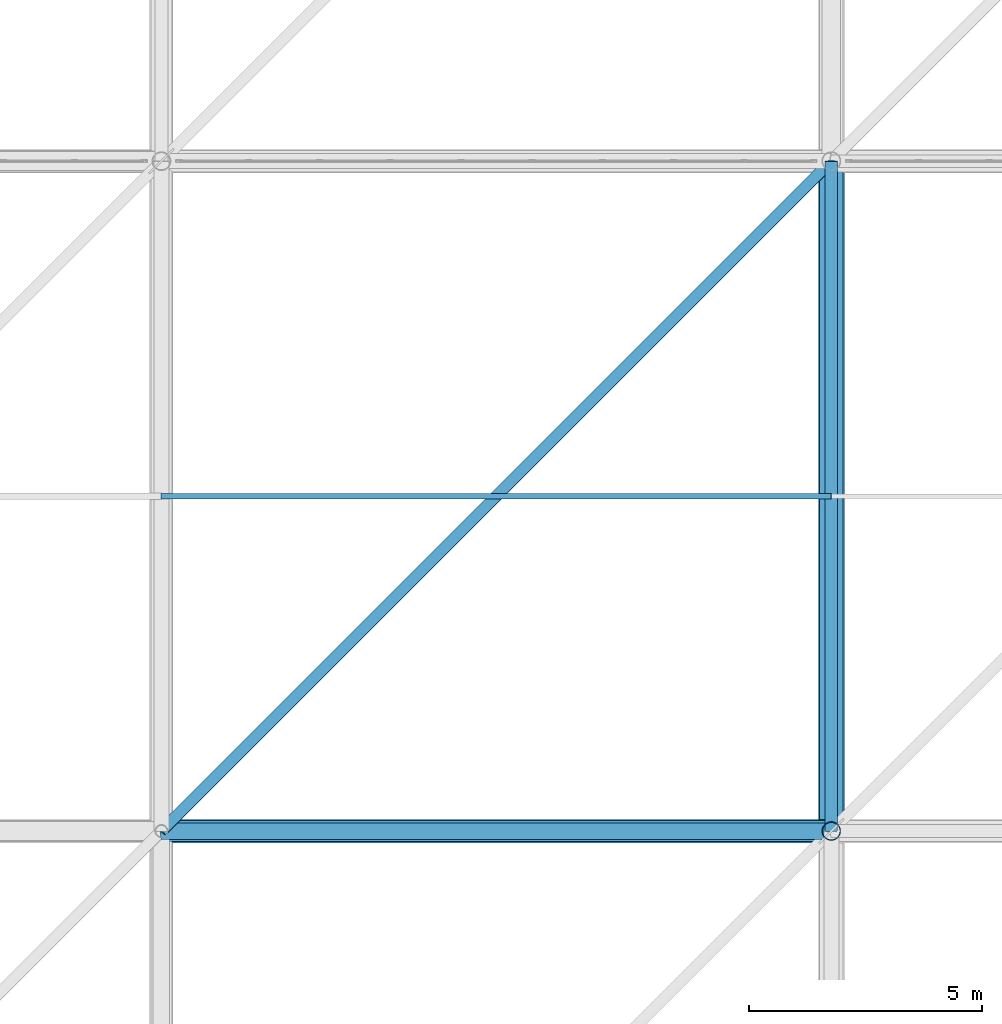
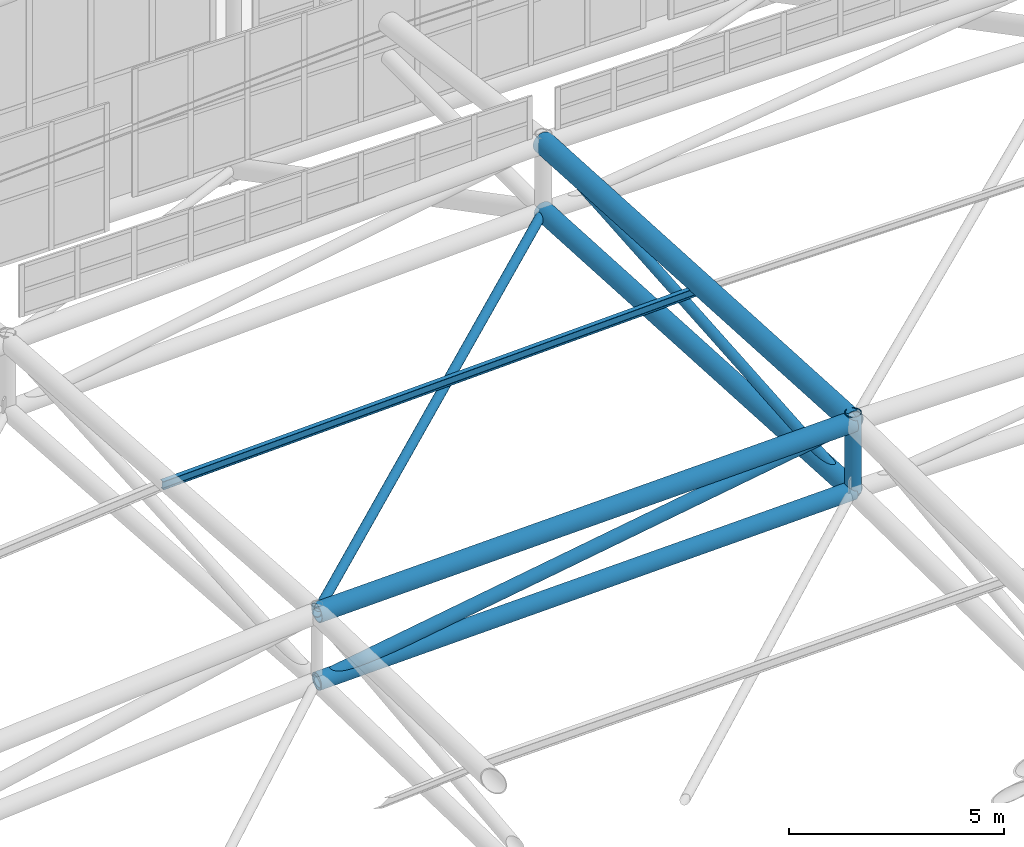
# One storey, part 207 of 397: 5 members, 4 beams.
"""IFC4 building model written with IfcOpenShell, lengths in metres."""

import ifcopenshell
import ifcopenshell.guid

model = None  # the IFC model being written
_history = None  # IfcOwnerHistory: only IFC2X3 demands one
_inside = {}  # id of a spatial element -> (the spatial element, [elements in it])
_under = {}  # id of a project, library or spatial element -> (it, [spatial elements below it])
_declared = {}  # id of a project -> (the project, [libraries it declares])
_typed = {}  # id of a type object -> (the type object, [elements of that type])
_made_of = {}  # id of a material, layer set ... -> (it, [elements and type objects made of it])


def new_model(schema):
    """Start an empty IFC model of exactly this schema.

    Asked for "IFC4X3", IfcOpenShell would pick the latest addendum, in which some entities
    have other attributes; the version numbers below select the first issue.
    IFC2X3 requires an IfcOwnerHistory on every rooted entity: one is made here for all.
    """
    global model, _history
    if schema == "IFC4X3":
        model = ifcopenshell.file(schema_version=(4, 3, 0, 0))
    else:
        model = ifcopenshell.file(schema=schema)
    _inside.clear()
    _under.clear()
    _declared.clear()
    _typed.clear()
    _made_of.clear()
    _history = None
    if model.schema == "IFC2X3":
        org = make("IfcOrganization", Name="unknown")
        user = make(
            "IfcPersonAndOrganization",
            ThePerson=make("IfcPerson", FamilyName="unknown"),
            TheOrganization=org,
        )
        app = make(
            "IfcApplication",
            ApplicationDeveloper=org,
            Version="unknown",
            ApplicationFullName="unknown",
            ApplicationIdentifier="unknown",
        )
        _history = make(
            "IfcOwnerHistory",
            OwningUser=user,
            OwningApplication=app,
            ChangeAction="ADDED",
            CreationDate=0,
        )
    return model


def make(cls, **values):
    """One entity of the class cls with the attributes given. An attribute that is None is left unset."""
    return model.create_entity(
        cls, **{name: value for name, value in values.items() if value is not None}
    )


def rooted(cls, **values):
    """An entity with a GlobalId (a new one), such as an element, a storey or a relation."""
    return make(cls, GlobalId=ifcopenshell.guid.new(), OwnerHistory=_history, **values)


def si_unit(unit_type, name, prefix=None):
    """IfcSIUnit, for example si_unit("LENGTHUNIT", "METRE", prefix="MILLI")."""
    return make("IfcSIUnit", UnitType=unit_type, Prefix=prefix, Name=name)


def assignment(units):
    """IfcUnitAssignment: the units of a project."""
    return None if units is None else make("IfcUnitAssignment", Units=units)


def point(xyz):
    """IfcCartesianPoint."""
    return None if xyz is None else make("IfcCartesianPoint", Coordinates=xyz)


def direction(xyz):
    """IfcDirection."""
    return None if xyz is None else make("IfcDirection", DirectionRatios=xyz)


def frame(location, z_axis=None, x_axis=None):
    """IfcAxis2Placement3D, a coordinate frame: its origin and axes. An axis left out is left unset."""
    return make(
        "IfcAxis2Placement3D",
        Location=point(location),
        Axis=direction(z_axis),
        RefDirection=direction(x_axis),
    )


def frame_2d(location, x_axis=None):
    """IfcAxis2Placement2D, a coordinate frame in the plane: its origin and x axis."""
    return make(
        "IfcAxis2Placement2D", Location=point(location), RefDirection=direction(x_axis)
    )


def origin():
    """The frame at (0, 0, 0) with its axes left unset."""
    return frame((0.0, 0.0, 0.0))


def origin_2d():
    """The frame at (0, 0) in the plane with its x axis left unset."""
    return frame_2d((0.0, 0.0))


def place(relative_to, where):
    """IfcLocalPlacement: puts the frame where relative to a parent placement (None: the world)."""
    return make(
        "IfcLocalPlacement", PlacementRelTo=relative_to, RelativePlacement=where
    )


def context(
    kind, dimensions, precision=None, world=None, true_north=None, identifier=None
):
    """IfcGeometricRepresentationContext, for example the 3D "Model" context."""
    return make(
        "IfcGeometricRepresentationContext",
        ContextIdentifier=identifier,
        ContextType=kind,
        CoordinateSpaceDimension=dimensions,
        Precision=precision,
        WorldCoordinateSystem=world,
        TrueNorth=true_north,
    )


def subcontext(parent, identifier, kind, view, scale=None):
    """IfcGeometricRepresentationSubContext, for example "Body" below "Model"."""
    return make(
        "IfcGeometricRepresentationSubContext",
        ContextIdentifier=identifier,
        ContextType=kind,
        ParentContext=parent,
        TargetScale=scale,
        TargetView=view,
    )


def project(units=None, contexts=None):
    """IfcProject with its units and contexts."""
    return rooted(
        "IfcProject",
        Name="project",
        RepresentationContexts=contexts,
        UnitsInContext=assignment(units),
    )


def spatial(cls, under=None, at=None, **own):
    """A site, building, storey or space (cls), placed at a placement, below another one or the project."""
    s = rooted(cls, ObjectPlacement=at, **own)
    if under is not None:
        _under.setdefault(under.id(), (under, []))[1].append(s)
    return s


def profile(cls, at=None, kind="AREA", **sizes):
    """A parametric profile (cls). Its sizes go by their IFC names, for example OverallWidth=200.0."""
    return make(cls, ProfileType=kind, Position=at, **sizes)


def hollow_circle(**sizes):
    """IfcCircleHollowProfileDef."""
    return profile("IfcCircleHollowProfileDef", **sizes)


def i_section(**sizes):
    """IfcIShapeProfileDef."""
    return profile("IfcIShapeProfileDef", **sizes)


def extrude(swept, where, along, depth):
    """IfcExtrudedAreaSolid: the profile swept, set in the frame where, extruded along a direction by depth."""
    return make(
        "IfcExtrudedAreaSolid",
        SweptArea=swept,
        Position=where,
        ExtrudedDirection=direction(along),
        Depth=depth,
    )


def shape(context_of_items, identifier, shape_type, items):
    """IfcShapeRepresentation: the items that make up one representation, for example the "Body"."""
    return make(
        "IfcShapeRepresentation",
        ContextOfItems=context_of_items,
        RepresentationIdentifier=identifier,
        RepresentationType=shape_type,
        Items=items,
    )


def material(Name=None, Category=None):
    """IfcMaterial."""
    return make("IfcMaterial", Name=Name, Category=Category)


def material_profile(
    of_material, cross_section, Name=None, Category=None, Priority=None
):
    """IfcMaterialProfile: a cross section and its material."""
    return make(
        "IfcMaterialProfile",
        Name=Name,
        Material=of_material,
        Profile=cross_section,
        Priority=Priority,
        Category=Category,
    )


def profile_set(profiles, Name=None, composite=None):
    """IfcMaterialProfileSet."""
    return make(
        "IfcMaterialProfileSet",
        Name=Name,
        MaterialProfiles=profiles,
        CompositeProfile=composite,
    )


def made_of(thing, what):
    """Note that an element or type object is made of a material, layer set ...; save() writes the relation."""
    if what is not None:
        _made_of.setdefault(what.id(), (what, []))[1].append(thing)
    return thing


def type_object(cls, material=None, **own):
    """A type object (cls), such as IfcWallType, which elements share."""
    return made_of(rooted(cls, **own), material)


def element(
    cls,
    number,
    at=None,
    inside=None,
    cuts=None,
    type_object=None,
    material=None,
    context=None,
    identifier="Body",
    shape_type=None,
    held_by="IfcProductDefinitionShape",
    body=None,
    shapes=None,
    **own,
):
    """One element of the class cls, such as IfcWall. Its Tag is "e" and its number.

    at: its placement. inside: the storey or other place that contains it. cuts: it is an
    opening in that element (IfcRelVoidsElement). A single representation is given by context,
    identifier, shape_type and body (its items); several are given by shapes. held_by: the class
    of the entity that holds the representations. save() writes the other relations.
    """
    e = rooted(cls, Tag="e%d" % number, ObjectPlacement=at, **own)
    if body is not None:
        shapes = [shape(context, identifier, shape_type, body)]
    if shapes is not None:
        e.Representation = make(held_by, Representations=shapes)
    if inside is not None:
        _inside.setdefault(inside.id(), (inside, []))[1].append(e)
    if cuts is not None:
        rooted(
            "IfcRelVoidsElement", RelatingBuildingElement=cuts, RelatedOpeningElement=e
        )
    if type_object is not None:
        _typed.setdefault(type_object.id(), (type_object, []))[1].append(e)
    return made_of(e, material)


def aggregate(whole, parts):
    """IfcRelAggregates: a whole, such as a stair, and the parts it consists of."""
    return rooted("IfcRelAggregates", RelatingObject=whole, RelatedObjects=parts)


def save(model, path):
    """Write the relations noted so far, then the file.

    IfcRelAggregates (storeys below a building ...), IfcRelContainedInSpatialStructure (elements
    in a storey), IfcRelDefinesByType, IfcRelAssociatesMaterial and IfcRelDeclares: one each for
    every whole, place, type object, material and project.
    """
    for whole, parts in _under.values():
        aggregate(whole, parts)
    for where, things in _inside.values():
        rooted(
            "IfcRelContainedInSpatialStructure",
            RelatedElements=things,
            RelatingStructure=where,
        )
    for kind, things in _typed.values():
        rooted("IfcRelDefinesByType", RelatedObjects=things, RelatingType=kind)
    for what, things in _made_of.values():
        rooted("IfcRelAssociatesMaterial", RelatedObjects=things, RelatingMaterial=what)
    for by, libraries in _declared.values():
        rooted("IfcRelDeclares", RelatingContext=by, RelatedDefinitions=libraries)
    model.write(path)


model = new_model("IFC4")

# Units and contexts
model_context = context("Model", 3, precision=1e-05, world=origin(), true_north=direction((0.0, 1.0)))
body_context = subcontext(model_context, "Body", "Model", "MODEL_VIEW")
ifc_project = project(units=[si_unit("LENGTHUNIT", "METRE"), si_unit("AREAUNIT", "SQUARE_METRE"), si_unit("VOLUMEUNIT", "CUBIC_METRE"), si_unit("PLANEANGLEUNIT", "RADIAN"), si_unit("MASSUNIT", "GRAM", prefix="KILO")], contexts=[model_context])

# Site, building, storey
site_placement = place(None, origin())
site = spatial("IfcSite", under=ifc_project, at=site_placement, CompositionType="ELEMENT")
building_placement = place(site_placement, origin())
building = spatial("IfcBuilding", under=site, at=building_placement, Name="Qandorah Velis Arena", CompositionType="ELEMENT")
storey_placement = place(building_placement, frame((0.0, 0.0, 27.5)))
storey = spatial("IfcBuildingStorey", under=building, at=storey_placement, Name="RF", CompositionType="ELEMENT", Elevation=27.5)

# Member
ifc_material_1 = material(Name="Steel S355", Category="steel")
ifc_material_profile_1 = material_profile(ifc_material_1, i_section(OverallWidth=0.1201171875, OverallDepth=0.239990234375, WebThickness=0.006103515625, FlangeThickness=0.009765625, FilletRadius=0.014892578125, at=origin_2d()), Name="IPE 240")
ifc_profile_set_1 = profile_set([ifc_material_profile_1], Name="Steel S355")
member_type_1 = type_object("IfcMemberType", Name="STR-PRL-IPE240", PredefinedType="PURLIN", material=ifc_profile_set_1)
member_1_placement = place(storey_placement, frame((43.199951171875, 93.60009765625, 9.254150390625), z_axis=(0.99941176079, 0.0, 0.034294786699), x_axis=(0.0, 1.0, 0.0)))
element("IfcMember", 1, at=member_1_placement, inside=storey, type_object=member_type_1, Name="Arena roof purlin PRL-2.5", PredefinedType="PURLIN", context=body_context, shape_type="SweptSolid", body=[
    extrude(i_section(OverallWidth=0.1201171875, OverallDepth=0.239990234375, WebThickness=0.006103515625, FlangeThickness=0.009765625, FilletRadius=0.014892578125, at=origin_2d()), origin(), (0.0, 0.0, 1.0), 14.40869140625),
])

# Beams
ifc_material_profile_2 = material_profile(ifc_material_1, hollow_circle(Radius=0.228515625, WallThickness=0.01611328125, at=origin_2d()), Name="CHS 457x16")
ifc_profile_set_2 = profile_set([ifc_material_profile_2], Name="Steel S355")
beam_type_1 = type_object("IfcBeamType", Name="STR-SFC-CHS457X16", PredefinedType="USERDEFINED", material=ifc_profile_set_2)
beam_1_placement = place(storey_placement, frame((43.199951171875, 86.39990234375, 8.038818359375), z_axis=(0.999643675871, 0.0, 0.026693094442), x_axis=(0.0, 1.0, 0.0)))
element("IfcBeam", 2, at=beam_1_placement, inside=storey, type_object=beam_type_1, Name="Space frame roof truss bottom chord X 2.5", ObjectType="ROOF TRUSS", PredefinedType="USERDEFINED", context=body_context, shape_type="SweptSolid", body=[
    extrude(hollow_circle(Radius=0.228515625, WallThickness=0.01611328125, at=origin_2d()), origin(), (0.0, 0.0, 1.0), 14.4052734375),
])
ifc_material_profile_3 = material_profile(ifc_material_1, hollow_circle(Radius=0.25390625, WallThickness=0.02001953125, at=origin_2d()), Name="CHS 508x20")
ifc_profile_set_3 = profile_set([ifc_material_profile_3], Name="Steel S355")
beam_type_2 = type_object("IfcBeamType", Name="STR-SFC-CHS508X20", PredefinedType="USERDEFINED", material=ifc_profile_set_3)
beam_2_placement = place(storey_placement, frame((43.199951171875, 86.39990234375, 9.98876953125), z_axis=(0.999643675871, 0.0, 0.026693094442), x_axis=(0.0, 1.0, 0.0)))
element("IfcBeam", 3, at=beam_2_placement, inside=storey, type_object=beam_type_2, Name="Space frame roof truss top chord X 2.5", ObjectType="ROOF TRUSS", PredefinedType="USERDEFINED", context=body_context, shape_type="SweptSolid", body=[
    extrude(hollow_circle(Radius=0.25390625, WallThickness=0.02001953125, at=origin_2d()), origin(), (0.0, 0.0, 1.0), 14.4052734375),
])
ifc_material_profile_4 = material_profile(ifc_material_1, hollow_circle(Radius=0.25390625, WallThickness=0.02490234375, at=origin_2d()), Name="CHS 508x25")
ifc_profile_set_4 = profile_set([ifc_material_profile_4], Name="Steel S355")
beam_type_3 = type_object("IfcBeamType", Name="STR-SFC-CHS508X25", PredefinedType="USERDEFINED", material=ifc_profile_set_4)
beam_3_placement = place(storey_placement, frame((57.60009765625, 86.39990234375, 8.42333984375), z_axis=(0.0, 0.998421517343, -0.056164701601), x_axis=(-1.0, 0.0, 0.0)))
element("IfcBeam", 4, at=beam_3_placement, inside=storey, type_object=beam_type_3, Name="Space frame roof truss bottom chord Y 3.5", ObjectType="ROOF TRUSS", PredefinedType="USERDEFINED", context=body_context, shape_type="SweptSolid", body=[
    extrude(hollow_circle(Radius=0.25390625, WallThickness=0.02490234375, at=origin_2d()), origin(), (0.0, 0.0, 1.0), 14.4228515625),
])
ifc_material_profile_5 = material_profile(ifc_material_1, hollow_circle(Radius=0.279541015625, WallThickness=0.02490234375, at=origin_2d()), Name="CHS 559x25")
ifc_profile_set_5 = profile_set([ifc_material_profile_5], Name="Steel S355")
beam_type_4 = type_object("IfcBeamType", Name="STR-SFC-CHS559X25", PredefinedType="USERDEFINED", material=ifc_profile_set_5)
beam_4_placement = place(storey_placement, frame((57.60009765625, 86.39990234375, 10.373291015625), z_axis=(0.0, 0.998421517343, -0.056164701601), x_axis=(-1.0, 0.0, 0.0)))
element("IfcBeam", 5, at=beam_4_placement, inside=storey, type_object=beam_type_4, Name="Space frame roof truss top chord Y 3.5", ObjectType="ROOF TRUSS", PredefinedType="USERDEFINED", context=body_context, shape_type="SweptSolid", body=[
    extrude(hollow_circle(Radius=0.279541015625, WallThickness=0.02490234375, at=origin_2d()), origin(), (0.0, 0.0, 1.0), 14.4228515625),
])

# Members
ifc_material_profile_6 = material_profile(ifc_material_1, hollow_circle(Radius=0.122314453125, WallThickness=0.012451171875, at=origin_2d()), Name="CHS 244.5x12.5")
ifc_profile_set_6 = profile_set([ifc_material_profile_6], Name="Steel S355")
member_type_2 = type_object("IfcMemberType", Name="STR-SFD-CHS244X12", PredefinedType="STRUT", material=ifc_profile_set_6)
member_2_placement = place(storey_placement, frame((57.60009765625, 100.800048828125, 7.61328125), z_axis=(-0.702344747081, -0.702344747081, 0.115860746132), x_axis=(0.707106781187, -0.707106781187, 0.0)))
element("IfcMember", 6, at=member_2_placement, inside=storey, type_object=member_type_2, Name="Space frame roof spatial diagonal 2.5", PredefinedType="STRUT", context=body_context, shape_type="SweptSolid", body=[
    extrude(hollow_circle(Radius=0.122314453125, WallThickness=0.012451171875, at=origin_2d()), origin(), (0.0, 0.0, 1.0), 20.5029296875),
])
ifc_material_profile_7 = material_profile(ifc_material_1, hollow_circle(Radius=0.136474609375, WallThickness=0.012451171875, at=origin_2d()), Name="CHS 273x12.5")
ifc_profile_set_7 = profile_set([ifc_material_profile_7], Name="Steel S355")
member_type_3 = type_object("IfcMemberType", Name="STR-SFD-CHS273X12", PredefinedType="STRUT", material=ifc_profile_set_7)
member_3_placement = place(storey_placement, frame((57.60009765625, 86.39990234375, 8.42333984375), z_axis=(0.0, 0.996881621046, 0.07891155568), x_axis=(-1.0, 0.0, 0.0)))
element("IfcMember", 7, at=member_3_placement, inside=storey, type_object=member_type_3, Name="Space frame roof diagonal Y 3.5", PredefinedType="STRUT", context=body_context, shape_type="SweptSolid", body=[
    extrude(hollow_circle(Radius=0.136474609375, WallThickness=0.012451171875, at=origin_2d()), origin(), (0.0, 0.0, 1.0), 14.4453125),
])
ifc_material_profile_8 = material_profile(ifc_material_1, hollow_circle(Radius=0.177734375, WallThickness=0.012451171875, at=origin_2d()), Name="CHS 355.6x12.5")
ifc_profile_set_8 = profile_set([ifc_material_profile_8], Name="Steel S355")
member_type_4 = type_object("IfcMemberType", Name="STR-SFD-CHS355X12", PredefinedType="STRUT", material=ifc_profile_set_8)
member_4_placement = place(storey_placement, frame((43.199951171875, 86.39990234375, 8.038818359375), z_axis=(0.987112909411, 0.0, 0.160025323225), x_axis=(0.0, 1.0, 0.0)))
element("IfcMember", 8, at=member_4_placement, inside=storey, type_object=member_type_4, Name="Space frame roof diagonal X 2.5", PredefinedType="STRUT", context=body_context, shape_type="SweptSolid", body=[
    extrude(hollow_circle(Radius=0.177734375, WallThickness=0.012451171875, at=origin_2d()), origin(), (0.0, 0.0, 1.0), 14.588134765625),
])
ifc_material_2 = material(Name="Steel S460", Category="steel")
ifc_material_profile_9 = material_profile(ifc_material_2, hollow_circle(Radius=0.203125, WallThickness=0.02001953125, at=origin_2d()), Name="CHS 406.4x20")
ifc_profile_set_9 = profile_set([ifc_material_profile_9], Name="Steel S460")
member_type_5 = type_object("IfcMemberType", Name="STR-SFD-CHS406X20", PredefinedType="STRUT", material=ifc_profile_set_9)
member_5_placement = place(storey_placement, frame((57.60009765625, 86.39990234375, 8.42333984375), z_axis=(0.0, 0.0, 1.0), x_axis=(1.0, 0.0, 0.0)))
element("IfcMember", 9, at=member_5_placement, inside=storey, type_object=member_type_5, Name="Space frame roof vertical post 3.5", PredefinedType="STRUT", context=body_context, shape_type="SweptSolid", body=[
    extrude(hollow_circle(Radius=0.203125, WallThickness=0.02001953125, at=origin_2d()), origin(), (0.0, 0.0, 1.0), 2.2099609375),
])

save(model, "model.ifc")
